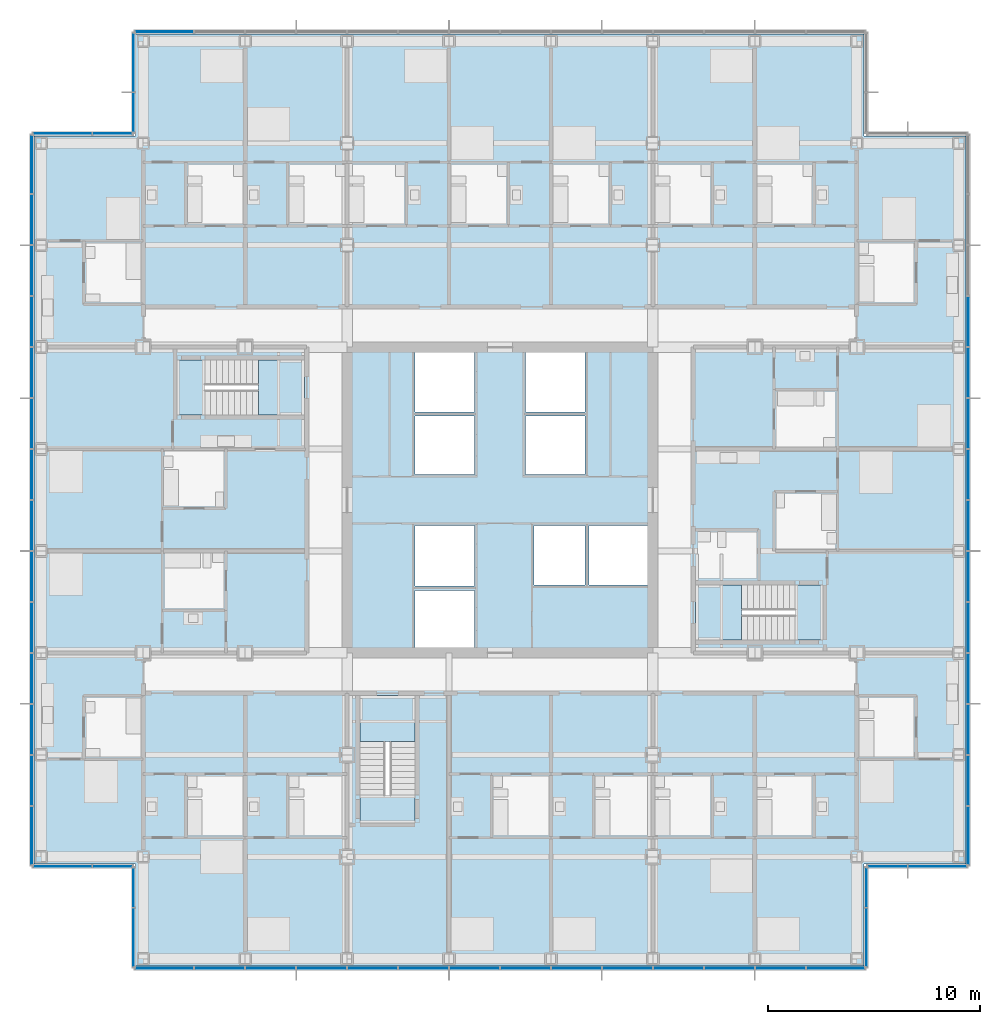
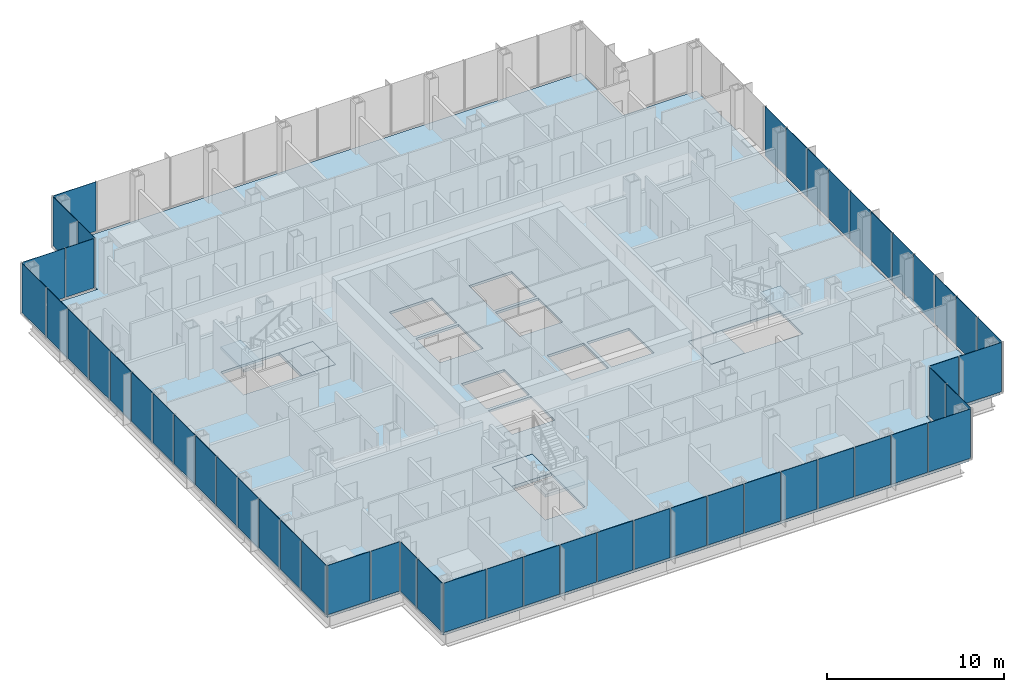
# One storey, part 12 of 22: 52 plates, 7 slabs, 13 elements without a shape of their own.
"""IFC4 building model written with IfcOpenShell, lengths in metres."""

from ifc_helpers import new_model, si_unit, direction, frame, origin, origin_2d, place, context, subcontext, project, spatial, polyline, rectangle, outline, extrude, material, layer, layer_set, type_object, element, aggregate, save


model = new_model("IFC4")

# Units and contexts
model_context = context("Model", 3, precision=1e-05, world=origin(), true_north=direction((0.0, 1.0)))
body_context = subcontext(model_context, "Body", "Model", "MODEL_VIEW")
ifc_project = project(units=[si_unit("LENGTHUNIT", "METRE"), si_unit("AREAUNIT", "SQUARE_METRE"), si_unit("VOLUMEUNIT", "CUBIC_METRE"), si_unit("PLANEANGLEUNIT", "RADIAN"), si_unit("MASSUNIT", "GRAM", prefix="KILO")], contexts=[model_context])

# Site, building, storey
site_placement = place(None, origin())
site = spatial("IfcSite", under=ifc_project, at=site_placement, CompositionType="ELEMENT")
building_placement = place(site_placement, origin())
building = spatial("IfcBuilding", under=site, at=building_placement, Name="Kvirike Care Tower", CompositionType="ELEMENT")
storey_placement = place(building_placement, frame((0.0, 0.0, 72.5)))
storey = spatial("IfcBuildingStorey", under=building, at=storey_placement, Name="L19", CompositionType="ELEMENT", Elevation=72.5)

# Slab
ifc_material_1 = material(Name="Concrete C35/45", Category="concrete")
ifc_layer_1 = layer(ifc_material_1, 0.169921875)
ifc_layer_set_1 = layer_set([ifc_layer_1], Name="FLOOR SLAB 170")
slab_type_1 = type_object("IfcSlabType", Name="FLOOR SLAB 170", PredefinedType="FLOOR", material=ifc_layer_set_1)
slab_1_placement = place(storey_placement, frame((0.0, 0.0, -0.169921875)))
element("IfcSlab", 1, at=slab_1_placement, inside=storey, type_object=slab_type_1, Name="Floor slab L19", PredefinedType="FLOOR", context=body_context, shape_type="SweptSolid", body=[
    extrude(outline(polyline([(-0.35009765625, 53.14990234375), (-0.35009765625, 18.85009765625), (4.449951171875, 18.85009765625), (4.449951171875, 14.050048828125), (38.75, 14.050048828125), (38.75, 18.85009765625), (43.550048828125, 18.85009765625), (43.550048828125, 53.14990234375), (38.75, 53.14990234375), (38.75, 57.949951171875), (4.449951171875, 57.949951171875), (4.449951171875, 53.14990234375), (-0.35009765625, 53.14990234375)]), holes=[polyline([(17.60009765625, 29.050048828125), (17.60009765625, 31.75), (20.39990234375, 31.75), (20.39990234375, 29.050048828125), (17.60009765625, 29.050048828125)]), polyline([(17.60009765625, 31.949951171875), (17.60009765625, 34.800048828125), (20.39990234375, 34.800048828125), (20.39990234375, 31.949951171875), (17.60009765625, 31.949951171875)]), polyline([(17.60009765625, 37.199951171875), (17.60009765625, 39.949951171875), (20.39990234375, 39.949951171875), (20.39990234375, 37.199951171875), (17.60009765625, 37.199951171875)]), polyline([(17.60009765625, 40.14990234375), (17.60009765625, 42.949951171875), (20.39990234375, 42.949951171875), (20.39990234375, 40.14990234375), (17.60009765625, 40.14990234375)]), polyline([(22.800048828125, 37.199951171875), (22.800048828125, 39.949951171875), (25.60009765625, 39.949951171875), (25.60009765625, 37.199951171875), (22.800048828125, 37.199951171875)]), polyline([(22.800048828125, 40.14990234375), (22.800048828125, 42.949951171875), (25.60009765625, 42.949951171875), (25.60009765625, 40.14990234375), (22.800048828125, 40.14990234375)]), polyline([(23.199951171875, 32.0), (23.199951171875, 34.800048828125), (25.60009765625, 34.800048828125), (25.60009765625, 32.0), (23.199951171875, 32.0)]), polyline([(25.800048828125, 32.0), (25.800048828125, 34.800048828125), (28.550048828125, 34.800048828125), (28.550048828125, 32.0), (25.800048828125, 32.0)]), polyline([(12.39990234375, 42.60009765625), (12.39990234375, 40.0), (6.39990234375, 40.0), (6.39990234375, 42.60009765625), (12.39990234375, 42.60009765625)]), polyline([(30.800048828125, 29.39990234375), (30.800048828125, 32.0), (36.800048828125, 32.0), (36.800048828125, 29.39990234375), (30.800048828125, 29.39990234375)]), polyline([(15.0, 26.800048828125), (17.60009765625, 26.800048828125), (17.60009765625, 20.800048828125), (15.0, 20.800048828125), (15.0, 26.800048828125)])]), origin(), (0.0, 0.0, 1.0), 0.169921875),
])

# Stair, slabs
ifc_material_2 = material(Name="Concrete C35/45", Category="concrete")
stair_type = type_object("IfcStairType", Name="STAIR 20 RISERS", PredefinedType="HALF_TURN_STAIR", material=ifc_material_2)
stair_1_placement = place(storey_placement, origin())
stair_1 = element("IfcStair", 2, at=stair_1_placement, inside=storey, type_object=stair_type, Name="Stair 1 L19", PredefinedType="HALF_TURN_STAIR")
ifc_material_3 = material(Name="Concrete C35/45", Category="concrete")
ifc_layer_2 = layer(ifc_material_3, 0.199951171875)
ifc_layer_set_2 = layer_set([ifc_layer_2], Name="STAIR LANDING 200")
slab_type_2 = type_object("IfcSlabType", Name="STAIR LANDING 200", PredefinedType="LANDING", material=ifc_layer_set_2)
slab_2_placement = place(storey_placement, frame((0.0, 0.0, -0.199951171875)))
slab_2 = element("IfcSlab", 3, at=slab_2_placement, type_object=slab_type_2, Name="Stair S1 floor landing L19", PredefinedType="LANDING", context=body_context, shape_type="SweptSolid", body=[
    extrude(outline(polyline([(10.219970703125, 42.60009765625), (10.219970703125, 40.0), (12.39990234375, 40.0), (12.39990234375, 42.60009765625), (10.219970703125, 42.60009765625)])), origin(), (0.0, 0.0, 1.0), 0.199951171875),
])
slab_3_placement = place(storey_placement, frame((0.0, 0.0, 1.550048828125)))
slab_3 = element("IfcSlab", 4, at=slab_3_placement, type_object=slab_type_2, Name="Stair S1 half landing L19-L20", PredefinedType="LANDING", context=body_context, shape_type="SweptSolid", body=[
    extrude(outline(polyline([(6.39990234375, 42.60009765625), (6.39990234375, 40.0), (7.699951171875, 40.0), (7.699951171875, 42.60009765625), (6.39990234375, 42.60009765625)])), origin(), (0.0, 0.0, 1.0), 0.199951171875),
])
aggregate(stair_1, [slab_2, slab_3])

stair_2_placement = place(storey_placement, origin())
stair_2 = element("IfcStair", 5, at=stair_2_placement, inside=storey, type_object=stair_type, Name="Stair 2 L19", PredefinedType="HALF_TURN_STAIR")
slab_4_placement = place(storey_placement, frame((0.0, 0.0, -0.199951171875)))
slab_4 = element("IfcSlab", 6, at=slab_4_placement, type_object=slab_type_2, Name="Stair S2 floor landing L19", PredefinedType="LANDING", context=body_context, shape_type="SweptSolid", body=[
    extrude(outline(polyline([(32.97998046875, 29.39990234375), (32.97998046875, 32.0), (30.800048828125, 32.0), (30.800048828125, 29.39990234375), (32.97998046875, 29.39990234375)])), origin(), (0.0, 0.0, 1.0), 0.199951171875),
])
slab_5_placement = place(storey_placement, frame((0.0, 0.0, 1.550048828125)))
slab_5 = element("IfcSlab", 7, at=slab_5_placement, type_object=slab_type_2, Name="Stair S2 half landing L19-L20", PredefinedType="LANDING", context=body_context, shape_type="SweptSolid", body=[
    extrude(outline(polyline([(36.800048828125, 29.39990234375), (36.800048828125, 32.0), (35.5, 32.0), (35.5, 29.39990234375), (36.800048828125, 29.39990234375)])), origin(), (0.0, 0.0, 1.0), 0.199951171875),
])
aggregate(stair_2, [slab_4, slab_5])

stair_3_placement = place(storey_placement, origin())
stair_3 = element("IfcStair", 8, at=stair_3_placement, inside=storey, type_object=stair_type, Name="Stair 5 L19", PredefinedType="HALF_TURN_STAIR")
slab_6_placement = place(storey_placement, frame((0.0, 0.0, -0.199951171875)))
slab_6 = element("IfcSlab", 9, at=slab_6_placement, type_object=slab_type_2, Name="Stair S5 floor landing L19", PredefinedType="LANDING", context=body_context, shape_type="SweptSolid", body=[
    extrude(outline(polyline([(15.0, 24.6201171875), (17.60009765625, 24.6201171875), (17.60009765625, 26.800048828125), (15.0, 26.800048828125), (15.0, 24.6201171875)])), origin(), (0.0, 0.0, 1.0), 0.199951171875),
])
slab_7_placement = place(storey_placement, frame((0.0, 0.0, 1.550048828125)))
slab_7 = element("IfcSlab", 10, at=slab_7_placement, type_object=slab_type_2, Name="Stair S5 half landing L19-L20", PredefinedType="LANDING", context=body_context, shape_type="SweptSolid", body=[
    extrude(outline(polyline([(15.0, 20.800048828125), (17.60009765625, 20.800048828125), (17.60009765625, 22.10009765625), (15.0, 22.10009765625), (15.0, 20.800048828125)])), origin(), (0.0, 0.0, 1.0), 0.199951171875),
])
aggregate(stair_3, [slab_6, slab_7])

# Curtain wall, plates
ifc_material_4 = material(Name="Anodised aluminium stick system", Category="aluminium")
curtain_wall_type = type_object("IfcCurtainWallType", Name="CW-A STICK CURTAIN WALL", PredefinedType="NOTDEFINED", material=ifc_material_4)
curtain_wall_1_placement = place(storey_placement, origin())
curtain_wall_1 = element("IfcCurtainWall", 11, at=curtain_wall_1_placement, inside=storey, type_object=curtain_wall_type, Name="Curtain wall L19 face 1", PredefinedType="NOTDEFINED")
ifc_material_5 = material(Name="Tinted double glazed unit", Category="glass")
ifc_layer_3 = layer(ifc_material_5, 0.031982421875)
ifc_layer_set_3 = layer_set([ifc_layer_3], Name="TINTED VISION PANEL 32")
plate_type = type_object("IfcPlateType", Name="TINTED VISION PANEL 32", PredefinedType="CURTAIN_PANEL", material=ifc_layer_set_3)
plate_1_placement = place(storey_placement, frame((-0.449951171875, 51.808837890625, 0.10009765625), z_axis=(0.0, 0.0, 1.0), x_axis=(0.0, -1.0, 0.0)))
plate_1 = element("IfcPlate", 12, at=plate_1_placement, type_object=plate_type, Name="CW-A panel L19 face 1.1", PredefinedType="CURTAIN_PANEL", context=body_context, shape_type="SweptSolid", body=[
    extrude(rectangle(XDim=2.75244140625, YDim=0.031982421875, at=origin_2d()), origin(), (0.0, 0.0, 1.0), 3.39990234375),
])
plate_2_placement = place(storey_placement, frame((-0.449951171875, 49.199951171875, 0.10009765625), z_axis=(0.0, 0.0, 1.0), x_axis=(0.0, -1.0, 0.0)))
plate_2 = element("IfcPlate", 13, at=plate_2_placement, type_object=plate_type, Name="CW-A panel L19 face 1.2", PredefinedType="CURTAIN_PANEL", context=body_context, shape_type="SweptSolid", body=[
    extrude(rectangle(XDim=2.3349609375, YDim=0.031982421875, at=origin_2d()), origin(), (0.0, 0.0, 1.0), 3.39990234375),
])
plate_3_placement = place(storey_placement, frame((-0.449951171875, 46.800048828125, 0.10009765625), z_axis=(0.0, 0.0, 1.0), x_axis=(0.0, -1.0, 0.0)))
plate_3 = element("IfcPlate", 14, at=plate_3_placement, type_object=plate_type, Name="CW-A panel L19 face 1.3", PredefinedType="CURTAIN_PANEL", context=body_context, shape_type="SweptSolid", body=[
    extrude(rectangle(XDim=2.3349609375, YDim=0.031982421875, at=origin_2d()), origin(), (0.0, 0.0, 1.0), 3.39990234375),
])
plate_4_placement = place(storey_placement, frame((-0.449951171875, 44.39990234375, 0.10009765625), z_axis=(0.0, 0.0, 1.0), x_axis=(0.0, -1.0, 0.0)))
plate_4 = element("IfcPlate", 15, at=plate_4_placement, type_object=plate_type, Name="CW-A panel L19 face 1.4", PredefinedType="CURTAIN_PANEL", context=body_context, shape_type="SweptSolid", body=[
    extrude(rectangle(XDim=2.3349609375, YDim=0.031982421875, at=origin_2d()), origin(), (0.0, 0.0, 1.0), 3.39990234375),
])
plate_5_placement = place(storey_placement, frame((-0.449951171875, 42.0, 0.10009765625), z_axis=(0.0, 0.0, 1.0), x_axis=(0.0, -1.0, 0.0)))
plate_5 = element("IfcPlate", 16, at=plate_5_placement, type_object=plate_type, Name="CW-A panel L19 face 1.5", PredefinedType="CURTAIN_PANEL", context=body_context, shape_type="SweptSolid", body=[
    extrude(rectangle(XDim=2.3349609375, YDim=0.031982421875, at=origin_2d()), origin(), (0.0, 0.0, 1.0), 3.39990234375),
])
plate_6_placement = place(storey_placement, frame((-0.449951171875, 39.60009765625, 0.10009765625), z_axis=(0.0, 0.0, 1.0), x_axis=(0.0, -1.0, 0.0)))
plate_6 = element("IfcPlate", 17, at=plate_6_placement, type_object=plate_type, Name="CW-A panel L19 face 1.6", PredefinedType="CURTAIN_PANEL", context=body_context, shape_type="SweptSolid", body=[
    extrude(rectangle(XDim=2.3349609375, YDim=0.031982421875, at=origin_2d()), origin(), (0.0, 0.0, 1.0), 3.39990234375),
])
plate_7_placement = place(storey_placement, frame((-0.449951171875, 37.199951171875, 0.10009765625), z_axis=(0.0, 0.0, 1.0), x_axis=(0.0, -1.0, 0.0)))
plate_7 = element("IfcPlate", 18, at=plate_7_placement, type_object=plate_type, Name="CW-A panel L19 face 1.7", PredefinedType="CURTAIN_PANEL", context=body_context, shape_type="SweptSolid", body=[
    extrude(rectangle(XDim=2.3349609375, YDim=0.031982421875, at=origin_2d()), origin(), (0.0, 0.0, 1.0), 3.39990234375),
])
plate_8_placement = place(storey_placement, frame((-0.449951171875, 34.800048828125, 0.10009765625), z_axis=(0.0, 0.0, 1.0), x_axis=(0.0, -1.0, 0.0)))
plate_8 = element("IfcPlate", 19, at=plate_8_placement, type_object=plate_type, Name="CW-A panel L19 face 1.8", PredefinedType="CURTAIN_PANEL", context=body_context, shape_type="SweptSolid", body=[
    extrude(rectangle(XDim=2.3349609375, YDim=0.031982421875, at=origin_2d()), origin(), (0.0, 0.0, 1.0), 3.39990234375),
])
plate_9_placement = place(storey_placement, frame((-0.449951171875, 32.39990234375, 0.10009765625), z_axis=(0.0, 0.0, 1.0), x_axis=(0.0, -1.0, 0.0)))
plate_9 = element("IfcPlate", 20, at=plate_9_placement, type_object=plate_type, Name="CW-A panel L19 face 1.9", PredefinedType="CURTAIN_PANEL", context=body_context, shape_type="SweptSolid", body=[
    extrude(rectangle(XDim=2.3349609375, YDim=0.031982421875, at=origin_2d()), origin(), (0.0, 0.0, 1.0), 3.39990234375),
])
plate_10_placement = place(storey_placement, frame((-0.449951171875, 30.0, 0.10009765625), z_axis=(0.0, 0.0, 1.0), x_axis=(0.0, -1.0, 0.0)))
plate_10 = element("IfcPlate", 21, at=plate_10_placement, type_object=plate_type, Name="CW-A panel L19 face 1.10", PredefinedType="CURTAIN_PANEL", context=body_context, shape_type="SweptSolid", body=[
    extrude(rectangle(XDim=2.3349609375, YDim=0.031982421875, at=origin_2d()), origin(), (0.0, 0.0, 1.0), 3.39990234375),
])
plate_11_placement = place(storey_placement, frame((-0.449951171875, 27.60009765625, 0.10009765625), z_axis=(0.0, 0.0, 1.0), x_axis=(0.0, -1.0, 0.0)))
plate_11 = element("IfcPlate", 22, at=plate_11_placement, type_object=plate_type, Name="CW-A panel L19 face 1.11", PredefinedType="CURTAIN_PANEL", context=body_context, shape_type="SweptSolid", body=[
    extrude(rectangle(XDim=2.3349609375, YDim=0.031982421875, at=origin_2d()), origin(), (0.0, 0.0, 1.0), 3.39990234375),
])
plate_12_placement = place(storey_placement, frame((-0.449951171875, 25.199951171875, 0.10009765625), z_axis=(0.0, 0.0, 1.0), x_axis=(0.0, -1.0, 0.0)))
plate_12 = element("IfcPlate", 23, at=plate_12_placement, type_object=plate_type, Name="CW-A panel L19 face 1.12", PredefinedType="CURTAIN_PANEL", context=body_context, shape_type="SweptSolid", body=[
    extrude(rectangle(XDim=2.3349609375, YDim=0.031982421875, at=origin_2d()), origin(), (0.0, 0.0, 1.0), 3.39990234375),
])
plate_13_placement = place(storey_placement, frame((-0.449951171875, 22.800048828125, 0.10009765625), z_axis=(0.0, 0.0, 1.0), x_axis=(0.0, -1.0, 0.0)))
plate_13 = element("IfcPlate", 24, at=plate_13_placement, type_object=plate_type, Name="CW-A panel L19 face 1.13", PredefinedType="CURTAIN_PANEL", context=body_context, shape_type="SweptSolid", body=[
    extrude(rectangle(XDim=2.3349609375, YDim=0.031982421875, at=origin_2d()), origin(), (0.0, 0.0, 1.0), 3.39990234375),
])
plate_14_placement = place(storey_placement, frame((-0.449951171875, 20.191162109375, 0.10009765625), z_axis=(0.0, 0.0, 1.0), x_axis=(0.0, -1.0, 0.0)))
plate_14 = element("IfcPlate", 25, at=plate_14_placement, type_object=plate_type, Name="CW-A panel L19 face 1.14", PredefinedType="CURTAIN_PANEL", context=body_context, shape_type="SweptSolid", body=[
    extrude(rectangle(XDim=2.75244140625, YDim=0.031982421875, at=origin_2d()), origin(), (0.0, 0.0, 1.0), 3.39990234375),
])
aggregate(curtain_wall_1, [plate_1, plate_2, plate_3, plate_4, plate_5, plate_6, plate_7, plate_8, plate_9, plate_10, plate_11, plate_12, plate_13, plate_14])

curtain_wall_2_placement = place(storey_placement, origin())
curtain_wall_2 = element("IfcCurtainWall", 26, at=curtain_wall_2_placement, inside=storey, type_object=curtain_wall_type, Name="Curtain wall L19 face 2", PredefinedType="NOTDEFINED")
plate_15_placement = place(storey_placement, frame((0.9912109375, 18.75, 0.10009765625), z_axis=(0.0, 0.0, 1.0), x_axis=(1.0, 0.0, 0.0)))
plate_15 = element("IfcPlate", 27, at=plate_15_placement, type_object=plate_type, Name="CW-A panel L19 face 2.1", PredefinedType="CURTAIN_PANEL", context=body_context, shape_type="SweptSolid", body=[
    extrude(rectangle(XDim=2.75244140625, YDim=0.031982421875, at=origin_2d()), origin(), (0.0, 0.0, 1.0), 3.39990234375),
])
plate_16_placement = place(storey_placement, frame((3.358642578125, 18.75, 0.10009765625), z_axis=(0.0, 0.0, 1.0), x_axis=(1.0, 0.0, 0.0)))
plate_16 = element("IfcPlate", 28, at=plate_16_placement, type_object=plate_type, Name="CW-A panel L19 face 2.2", PredefinedType="CURTAIN_PANEL", context=body_context, shape_type="SweptSolid", body=[
    extrude(rectangle(XDim=1.8525390625, YDim=0.031982421875, at=origin_2d()), origin(), (0.0, 0.0, 1.0), 3.39990234375),
])
aggregate(curtain_wall_2, [plate_15, plate_16])

curtain_wall_3_placement = place(storey_placement, origin())
curtain_wall_3 = element("IfcCurtainWall", 29, at=curtain_wall_3_placement, inside=storey, type_object=curtain_wall_type, Name="Curtain wall L19 face 3", PredefinedType="NOTDEFINED")
plate_17_placement = place(storey_placement, frame((4.35009765625, 17.7587890625, 0.10009765625), z_axis=(0.0, 0.0, 1.0), x_axis=(0.0, -1.0, 0.0)))
plate_17 = element("IfcPlate", 30, at=plate_17_placement, type_object=plate_type, Name="CW-A panel L19 face 3.1", PredefinedType="CURTAIN_PANEL", context=body_context, shape_type="SweptSolid", body=[
    extrude(rectangle(XDim=1.8525390625, YDim=0.031982421875, at=origin_2d()), origin(), (0.0, 0.0, 1.0), 3.39990234375),
])
plate_18_placement = place(storey_placement, frame((4.35009765625, 15.391357421875, 0.10009765625), z_axis=(0.0, 0.0, 1.0), x_axis=(0.0, -1.0, 0.0)))
plate_18 = element("IfcPlate", 31, at=plate_18_placement, type_object=plate_type, Name="CW-A panel L19 face 3.2", PredefinedType="CURTAIN_PANEL", context=body_context, shape_type="SweptSolid", body=[
    extrude(rectangle(XDim=2.75244140625, YDim=0.031982421875, at=origin_2d()), origin(), (0.0, 0.0, 1.0), 3.39990234375),
])
aggregate(curtain_wall_3, [plate_17, plate_18])

curtain_wall_4_placement = place(storey_placement, origin())
curtain_wall_4 = element("IfcCurtainWall", 32, at=curtain_wall_4_placement, inside=storey, type_object=curtain_wall_type, Name="Curtain wall L19 face 4", PredefinedType="NOTDEFINED")
plate_19_placement = place(storey_placement, frame((5.791259765625, 13.949951171875, 0.10009765625), z_axis=(0.0, 0.0, 1.0), x_axis=(1.0, 0.0, 0.0)))
plate_19 = element("IfcPlate", 33, at=plate_19_placement, type_object=plate_type, Name="CW-A panel L19 face 4.1", PredefinedType="CURTAIN_PANEL", context=body_context, shape_type="SweptSolid", body=[
    extrude(rectangle(XDim=2.75244140625, YDim=0.031982421875, at=origin_2d()), origin(), (0.0, 0.0, 1.0), 3.39990234375),
])
plate_20_placement = place(storey_placement, frame((8.39990234375, 13.949951171875, 0.10009765625), z_axis=(0.0, 0.0, 1.0), x_axis=(1.0, 0.0, 0.0)))
plate_20 = element("IfcPlate", 34, at=plate_20_placement, type_object=plate_type, Name="CW-A panel L19 face 4.2", PredefinedType="CURTAIN_PANEL", context=body_context, shape_type="SweptSolid", body=[
    extrude(rectangle(XDim=2.3349609375, YDim=0.031982421875, at=origin_2d()), origin(), (0.0, 0.0, 1.0), 3.39990234375),
])
plate_21_placement = place(storey_placement, frame((10.800048828125, 13.949951171875, 0.10009765625), z_axis=(0.0, 0.0, 1.0), x_axis=(1.0, 0.0, 0.0)))
plate_21 = element("IfcPlate", 35, at=plate_21_placement, type_object=plate_type, Name="CW-A panel L19 face 4.3", PredefinedType="CURTAIN_PANEL", context=body_context, shape_type="SweptSolid", body=[
    extrude(rectangle(XDim=2.3349609375, YDim=0.031982421875, at=origin_2d()), origin(), (0.0, 0.0, 1.0), 3.39990234375),
])
plate_22_placement = place(storey_placement, frame((13.199951171875, 13.949951171875, 0.10009765625), z_axis=(0.0, 0.0, 1.0), x_axis=(1.0, 0.0, 0.0)))
plate_22 = element("IfcPlate", 36, at=plate_22_placement, type_object=plate_type, Name="CW-A panel L19 face 4.4", PredefinedType="CURTAIN_PANEL", context=body_context, shape_type="SweptSolid", body=[
    extrude(rectangle(XDim=2.3349609375, YDim=0.031982421875, at=origin_2d()), origin(), (0.0, 0.0, 1.0), 3.39990234375),
])
plate_23_placement = place(storey_placement, frame((15.60009765625, 13.949951171875, 0.10009765625), z_axis=(0.0, 0.0, 1.0), x_axis=(1.0, 0.0, 0.0)))
plate_23 = element("IfcPlate", 37, at=plate_23_placement, type_object=plate_type, Name="CW-A panel L19 face 4.5", PredefinedType="CURTAIN_PANEL", context=body_context, shape_type="SweptSolid", body=[
    extrude(rectangle(XDim=2.3349609375, YDim=0.031982421875, at=origin_2d()), origin(), (0.0, 0.0, 1.0), 3.39990234375),
])
plate_24_placement = place(storey_placement, frame((18.0, 13.949951171875, 0.10009765625), z_axis=(0.0, 0.0, 1.0), x_axis=(1.0, 0.0, 0.0)))
plate_24 = element("IfcPlate", 38, at=plate_24_placement, type_object=plate_type, Name="CW-A panel L19 face 4.6", PredefinedType="CURTAIN_PANEL", context=body_context, shape_type="SweptSolid", body=[
    extrude(rectangle(XDim=2.3349609375, YDim=0.031982421875, at=origin_2d()), origin(), (0.0, 0.0, 1.0), 3.39990234375),
])
plate_25_placement = place(storey_placement, frame((20.39990234375, 13.949951171875, 0.10009765625), z_axis=(0.0, 0.0, 1.0), x_axis=(1.0, 0.0, 0.0)))
plate_25 = element("IfcPlate", 39, at=plate_25_placement, type_object=plate_type, Name="CW-A panel L19 face 4.7", PredefinedType="CURTAIN_PANEL", context=body_context, shape_type="SweptSolid", body=[
    extrude(rectangle(XDim=2.3349609375, YDim=0.031982421875, at=origin_2d()), origin(), (0.0, 0.0, 1.0), 3.39990234375),
])
plate_26_placement = place(storey_placement, frame((22.800048828125, 13.949951171875, 0.10009765625), z_axis=(0.0, 0.0, 1.0), x_axis=(1.0, 0.0, 0.0)))
plate_26 = element("IfcPlate", 40, at=plate_26_placement, type_object=plate_type, Name="CW-A panel L19 face 4.8", PredefinedType="CURTAIN_PANEL", context=body_context, shape_type="SweptSolid", body=[
    extrude(rectangle(XDim=2.3349609375, YDim=0.031982421875, at=origin_2d()), origin(), (0.0, 0.0, 1.0), 3.39990234375),
])
plate_27_placement = place(storey_placement, frame((25.199951171875, 13.949951171875, 0.10009765625), z_axis=(0.0, 0.0, 1.0), x_axis=(1.0, 0.0, 0.0)))
plate_27 = element("IfcPlate", 41, at=plate_27_placement, type_object=plate_type, Name="CW-A panel L19 face 4.9", PredefinedType="CURTAIN_PANEL", context=body_context, shape_type="SweptSolid", body=[
    extrude(rectangle(XDim=2.3349609375, YDim=0.031982421875, at=origin_2d()), origin(), (0.0, 0.0, 1.0), 3.39990234375),
])
plate_28_placement = place(storey_placement, frame((27.60009765625, 13.949951171875, 0.10009765625), z_axis=(0.0, 0.0, 1.0), x_axis=(1.0, 0.0, 0.0)))
plate_28 = element("IfcPlate", 42, at=plate_28_placement, type_object=plate_type, Name="CW-A panel L19 face 4.10", PredefinedType="CURTAIN_PANEL", context=body_context, shape_type="SweptSolid", body=[
    extrude(rectangle(XDim=2.3349609375, YDim=0.031982421875, at=origin_2d()), origin(), (0.0, 0.0, 1.0), 3.39990234375),
])
plate_29_placement = place(storey_placement, frame((30.0, 13.949951171875, 0.10009765625), z_axis=(0.0, 0.0, 1.0), x_axis=(1.0, 0.0, 0.0)))
plate_29 = element("IfcPlate", 43, at=plate_29_placement, type_object=plate_type, Name="CW-A panel L19 face 4.11", PredefinedType="CURTAIN_PANEL", context=body_context, shape_type="SweptSolid", body=[
    extrude(rectangle(XDim=2.3349609375, YDim=0.031982421875, at=origin_2d()), origin(), (0.0, 0.0, 1.0), 3.39990234375),
])
plate_30_placement = place(storey_placement, frame((32.39990234375, 13.949951171875, 0.10009765625), z_axis=(0.0, 0.0, 1.0), x_axis=(1.0, 0.0, 0.0)))
plate_30 = element("IfcPlate", 44, at=plate_30_placement, type_object=plate_type, Name="CW-A panel L19 face 4.12", PredefinedType="CURTAIN_PANEL", context=body_context, shape_type="SweptSolid", body=[
    extrude(rectangle(XDim=2.3349609375, YDim=0.031982421875, at=origin_2d()), origin(), (0.0, 0.0, 1.0), 3.39990234375),
])
plate_31_placement = place(storey_placement, frame((34.800048828125, 13.949951171875, 0.10009765625), z_axis=(0.0, 0.0, 1.0), x_axis=(1.0, 0.0, 0.0)))
plate_31 = element("IfcPlate", 45, at=plate_31_placement, type_object=plate_type, Name="CW-A panel L19 face 4.13", PredefinedType="CURTAIN_PANEL", context=body_context, shape_type="SweptSolid", body=[
    extrude(rectangle(XDim=2.3349609375, YDim=0.031982421875, at=origin_2d()), origin(), (0.0, 0.0, 1.0), 3.39990234375),
])
plate_32_placement = place(storey_placement, frame((37.40869140625, 13.949951171875, 0.10009765625), z_axis=(0.0, 0.0, 1.0), x_axis=(1.0, 0.0, 0.0)))
plate_32 = element("IfcPlate", 46, at=plate_32_placement, type_object=plate_type, Name="CW-A panel L19 face 4.14", PredefinedType="CURTAIN_PANEL", context=body_context, shape_type="SweptSolid", body=[
    extrude(rectangle(XDim=2.75244140625, YDim=0.031982421875, at=origin_2d()), origin(), (0.0, 0.0, 1.0), 3.39990234375),
])
aggregate(curtain_wall_4, [plate_19, plate_20, plate_21, plate_22, plate_23, plate_24, plate_25, plate_26, plate_27, plate_28, plate_29, plate_30, plate_31, plate_32])

curtain_wall_5_placement = place(storey_placement, origin())
curtain_wall_5 = element("IfcCurtainWall", 47, at=curtain_wall_5_placement, inside=storey, type_object=curtain_wall_type, Name="Curtain wall L19 face 5", PredefinedType="NOTDEFINED")
plate_33_placement = place(storey_placement, frame((38.85009765625, 15.391357421875, 0.10009765625), z_axis=(0.0, 0.0, 1.0), x_axis=(0.0, 1.0, 0.0)))
plate_33 = element("IfcPlate", 48, at=plate_33_placement, type_object=plate_type, Name="CW-A panel L19 face 5.1", PredefinedType="CURTAIN_PANEL", context=body_context, shape_type="SweptSolid", body=[
    extrude(rectangle(XDim=2.75244140625, YDim=0.031982421875, at=origin_2d()), origin(), (0.0, 0.0, 1.0), 3.39990234375),
])
plate_34_placement = place(storey_placement, frame((38.85009765625, 17.7587890625, 0.10009765625), z_axis=(0.0, 0.0, 1.0), x_axis=(0.0, 1.0, 0.0)))
plate_34 = element("IfcPlate", 49, at=plate_34_placement, type_object=plate_type, Name="CW-A panel L19 face 5.2", PredefinedType="CURTAIN_PANEL", context=body_context, shape_type="SweptSolid", body=[
    extrude(rectangle(XDim=1.8525390625, YDim=0.031982421875, at=origin_2d()), origin(), (0.0, 0.0, 1.0), 3.39990234375),
])
aggregate(curtain_wall_5, [plate_33, plate_34])

curtain_wall_6_placement = place(storey_placement, origin())
curtain_wall_6 = element("IfcCurtainWall", 50, at=curtain_wall_6_placement, inside=storey, type_object=curtain_wall_type, Name="Curtain wall L19 face 6", PredefinedType="NOTDEFINED")
plate_35_placement = place(storey_placement, frame((39.84130859375, 18.75, 0.10009765625), z_axis=(0.0, 0.0, 1.0), x_axis=(1.0, 0.0, 0.0)))
plate_35 = element("IfcPlate", 51, at=plate_35_placement, type_object=plate_type, Name="CW-A panel L19 face 6.1", PredefinedType="CURTAIN_PANEL", context=body_context, shape_type="SweptSolid", body=[
    extrude(rectangle(XDim=1.8525390625, YDim=0.031982421875, at=origin_2d()), origin(), (0.0, 0.0, 1.0), 3.39990234375),
])
plate_36_placement = place(storey_placement, frame((42.208740234375, 18.75, 0.10009765625), z_axis=(0.0, 0.0, 1.0), x_axis=(1.0, 0.0, 0.0)))
plate_36 = element("IfcPlate", 52, at=plate_36_placement, type_object=plate_type, Name="CW-A panel L19 face 6.2", PredefinedType="CURTAIN_PANEL", context=body_context, shape_type="SweptSolid", body=[
    extrude(rectangle(XDim=2.75244140625, YDim=0.031982421875, at=origin_2d()), origin(), (0.0, 0.0, 1.0), 3.39990234375),
])
aggregate(curtain_wall_6, [plate_35, plate_36])

curtain_wall_7_placement = place(storey_placement, origin())
curtain_wall_7 = element("IfcCurtainWall", 53, at=curtain_wall_7_placement, inside=storey, type_object=curtain_wall_type, Name="Curtain wall L19 face 7", PredefinedType="NOTDEFINED")
plate_37_placement = place(storey_placement, frame((43.64990234375, 20.191162109375, 0.10009765625), z_axis=(0.0, 0.0, 1.0), x_axis=(0.0, 1.0, 0.0)))
plate_37 = element("IfcPlate", 54, at=plate_37_placement, type_object=plate_type, Name="CW-A panel L19 face 7.1", PredefinedType="CURTAIN_PANEL", context=body_context, shape_type="SweptSolid", body=[
    extrude(rectangle(XDim=2.75244140625, YDim=0.031982421875, at=origin_2d()), origin(), (0.0, 0.0, 1.0), 3.39990234375),
])
plate_38_placement = place(storey_placement, frame((43.64990234375, 22.800048828125, 0.10009765625), z_axis=(0.0, 0.0, 1.0), x_axis=(0.0, 1.0, 0.0)))
plate_38 = element("IfcPlate", 55, at=plate_38_placement, type_object=plate_type, Name="CW-A panel L19 face 7.2", PredefinedType="CURTAIN_PANEL", context=body_context, shape_type="SweptSolid", body=[
    extrude(rectangle(XDim=2.3349609375, YDim=0.031982421875, at=origin_2d()), origin(), (0.0, 0.0, 1.0), 3.39990234375),
])
plate_39_placement = place(storey_placement, frame((43.64990234375, 25.199951171875, 0.10009765625), z_axis=(0.0, 0.0, 1.0), x_axis=(0.0, 1.0, 0.0)))
plate_39 = element("IfcPlate", 56, at=plate_39_placement, type_object=plate_type, Name="CW-A panel L19 face 7.3", PredefinedType="CURTAIN_PANEL", context=body_context, shape_type="SweptSolid", body=[
    extrude(rectangle(XDim=2.3349609375, YDim=0.031982421875, at=origin_2d()), origin(), (0.0, 0.0, 1.0), 3.39990234375),
])
plate_40_placement = place(storey_placement, frame((43.64990234375, 27.60009765625, 0.10009765625), z_axis=(0.0, 0.0, 1.0), x_axis=(0.0, 1.0, 0.0)))
plate_40 = element("IfcPlate", 57, at=plate_40_placement, type_object=plate_type, Name="CW-A panel L19 face 7.4", PredefinedType="CURTAIN_PANEL", context=body_context, shape_type="SweptSolid", body=[
    extrude(rectangle(XDim=2.3349609375, YDim=0.031982421875, at=origin_2d()), origin(), (0.0, 0.0, 1.0), 3.39990234375),
])
plate_41_placement = place(storey_placement, frame((43.64990234375, 30.0, 0.10009765625), z_axis=(0.0, 0.0, 1.0), x_axis=(0.0, 1.0, 0.0)))
plate_41 = element("IfcPlate", 58, at=plate_41_placement, type_object=plate_type, Name="CW-A panel L19 face 7.5", PredefinedType="CURTAIN_PANEL", context=body_context, shape_type="SweptSolid", body=[
    extrude(rectangle(XDim=2.3349609375, YDim=0.031982421875, at=origin_2d()), origin(), (0.0, 0.0, 1.0), 3.39990234375),
])
plate_42_placement = place(storey_placement, frame((43.64990234375, 32.39990234375, 0.10009765625), z_axis=(0.0, 0.0, 1.0), x_axis=(0.0, 1.0, 0.0)))
plate_42 = element("IfcPlate", 59, at=plate_42_placement, type_object=plate_type, Name="CW-A panel L19 face 7.6", PredefinedType="CURTAIN_PANEL", context=body_context, shape_type="SweptSolid", body=[
    extrude(rectangle(XDim=2.3349609375, YDim=0.031982421875, at=origin_2d()), origin(), (0.0, 0.0, 1.0), 3.39990234375),
])
plate_43_placement = place(storey_placement, frame((43.64990234375, 34.800048828125, 0.10009765625), z_axis=(0.0, 0.0, 1.0), x_axis=(0.0, 1.0, 0.0)))
plate_43 = element("IfcPlate", 60, at=plate_43_placement, type_object=plate_type, Name="CW-A panel L19 face 7.7", PredefinedType="CURTAIN_PANEL", context=body_context, shape_type="SweptSolid", body=[
    extrude(rectangle(XDim=2.3349609375, YDim=0.031982421875, at=origin_2d()), origin(), (0.0, 0.0, 1.0), 3.39990234375),
])
plate_44_placement = place(storey_placement, frame((43.64990234375, 37.199951171875, 0.10009765625), z_axis=(0.0, 0.0, 1.0), x_axis=(0.0, 1.0, 0.0)))
plate_44 = element("IfcPlate", 61, at=plate_44_placement, type_object=plate_type, Name="CW-A panel L19 face 7.8", PredefinedType="CURTAIN_PANEL", context=body_context, shape_type="SweptSolid", body=[
    extrude(rectangle(XDim=2.3349609375, YDim=0.031982421875, at=origin_2d()), origin(), (0.0, 0.0, 1.0), 3.39990234375),
])
plate_45_placement = place(storey_placement, frame((43.64990234375, 39.60009765625, 0.10009765625), z_axis=(0.0, 0.0, 1.0), x_axis=(0.0, 1.0, 0.0)))
plate_45 = element("IfcPlate", 62, at=plate_45_placement, type_object=plate_type, Name="CW-A panel L19 face 7.9", PredefinedType="CURTAIN_PANEL", context=body_context, shape_type="SweptSolid", body=[
    extrude(rectangle(XDim=2.3349609375, YDim=0.031982421875, at=origin_2d()), origin(), (0.0, 0.0, 1.0), 3.39990234375),
])
plate_46_placement = place(storey_placement, frame((43.64990234375, 42.0, 0.10009765625), z_axis=(0.0, 0.0, 1.0), x_axis=(0.0, 1.0, 0.0)))
plate_46 = element("IfcPlate", 63, at=plate_46_placement, type_object=plate_type, Name="CW-A panel L19 face 7.10", PredefinedType="CURTAIN_PANEL", context=body_context, shape_type="SweptSolid", body=[
    extrude(rectangle(XDim=2.3349609375, YDim=0.031982421875, at=origin_2d()), origin(), (0.0, 0.0, 1.0), 3.39990234375),
])
plate_47_placement = place(storey_placement, frame((43.64990234375, 44.39990234375, 0.10009765625), z_axis=(0.0, 0.0, 1.0), x_axis=(0.0, 1.0, 0.0)))
plate_47 = element("IfcPlate", 64, at=plate_47_placement, type_object=plate_type, Name="CW-A panel L19 face 7.11", PredefinedType="CURTAIN_PANEL", context=body_context, shape_type="SweptSolid", body=[
    extrude(rectangle(XDim=2.3349609375, YDim=0.031982421875, at=origin_2d()), origin(), (0.0, 0.0, 1.0), 3.39990234375),
])
aggregate(curtain_wall_7, [plate_37, plate_38, plate_39, plate_40, plate_41, plate_42, plate_43, plate_44, plate_45, plate_46, plate_47])

# Curtain wall, plate
curtain_wall_8_placement = place(storey_placement, origin())
curtain_wall_8 = element("IfcCurtainWall", 65, at=curtain_wall_8_placement, inside=storey, type_object=curtain_wall_type, Name="Curtain wall L19 face 10", PredefinedType="NOTDEFINED")
plate_48_placement = place(storey_placement, frame((5.791259765625, 58.050048828125, 0.10009765625), z_axis=(0.0, 0.0, 1.0), x_axis=(-1.0, 0.0, 0.0)))
plate_48 = element("IfcPlate", 66, at=plate_48_placement, type_object=plate_type, Name="CW-A panel L19 face 10.14", PredefinedType="CURTAIN_PANEL", context=body_context, shape_type="SweptSolid", body=[
    extrude(rectangle(XDim=2.75244140625, YDim=0.031982421875, at=origin_2d()), origin(), (0.0, 0.0, 1.0), 3.39990234375),
])
aggregate(curtain_wall_8, [plate_48])

# Curtain wall, plates
curtain_wall_9_placement = place(storey_placement, origin())
curtain_wall_9 = element("IfcCurtainWall", 67, at=curtain_wall_9_placement, inside=storey, type_object=curtain_wall_type, Name="Curtain wall L19 face 11", PredefinedType="NOTDEFINED")
plate_49_placement = place(storey_placement, frame((4.35009765625, 56.608642578125, 0.10009765625), z_axis=(0.0, 0.0, 1.0), x_axis=(0.0, -1.0, 0.0)))
plate_49 = element("IfcPlate", 68, at=plate_49_placement, type_object=plate_type, Name="CW-A panel L19 face 11.1", PredefinedType="CURTAIN_PANEL", context=body_context, shape_type="SweptSolid", body=[
    extrude(rectangle(XDim=2.75244140625, YDim=0.031982421875, at=origin_2d()), origin(), (0.0, 0.0, 1.0), 3.39990234375),
])
plate_50_placement = place(storey_placement, frame((4.35009765625, 54.2412109375, 0.10009765625), z_axis=(0.0, 0.0, 1.0), x_axis=(0.0, -1.0, 0.0)))
plate_50 = element("IfcPlate", 69, at=plate_50_placement, type_object=plate_type, Name="CW-A panel L19 face 11.2", PredefinedType="CURTAIN_PANEL", context=body_context, shape_type="SweptSolid", body=[
    extrude(rectangle(XDim=1.8525390625, YDim=0.031982421875, at=origin_2d()), origin(), (0.0, 0.0, 1.0), 3.39990234375),
])
aggregate(curtain_wall_9, [plate_49, plate_50])

curtain_wall_10_placement = place(storey_placement, origin())
curtain_wall_10 = element("IfcCurtainWall", 70, at=curtain_wall_10_placement, inside=storey, type_object=curtain_wall_type, Name="Curtain wall L19 face 12", PredefinedType="NOTDEFINED")
plate_51_placement = place(storey_placement, frame((3.358642578125, 53.25, 0.10009765625), z_axis=(0.0, 0.0, 1.0), x_axis=(-1.0, 0.0, 0.0)))
plate_51 = element("IfcPlate", 71, at=plate_51_placement, type_object=plate_type, Name="CW-A panel L19 face 12.1", PredefinedType="CURTAIN_PANEL", context=body_context, shape_type="SweptSolid", body=[
    extrude(rectangle(XDim=1.8525390625, YDim=0.031982421875, at=origin_2d()), origin(), (0.0, 0.0, 1.0), 3.39990234375),
])
plate_52_placement = place(storey_placement, frame((0.9912109375, 53.25, 0.10009765625), z_axis=(0.0, 0.0, 1.0), x_axis=(-1.0, 0.0, 0.0)))
plate_52 = element("IfcPlate", 72, at=plate_52_placement, type_object=plate_type, Name="CW-A panel L19 face 12.2", PredefinedType="CURTAIN_PANEL", context=body_context, shape_type="SweptSolid", body=[
    extrude(rectangle(XDim=2.75244140625, YDim=0.031982421875, at=origin_2d()), origin(), (0.0, 0.0, 1.0), 3.39990234375),
])
aggregate(curtain_wall_10, [plate_51, plate_52])

save(model, "model.ifc")
